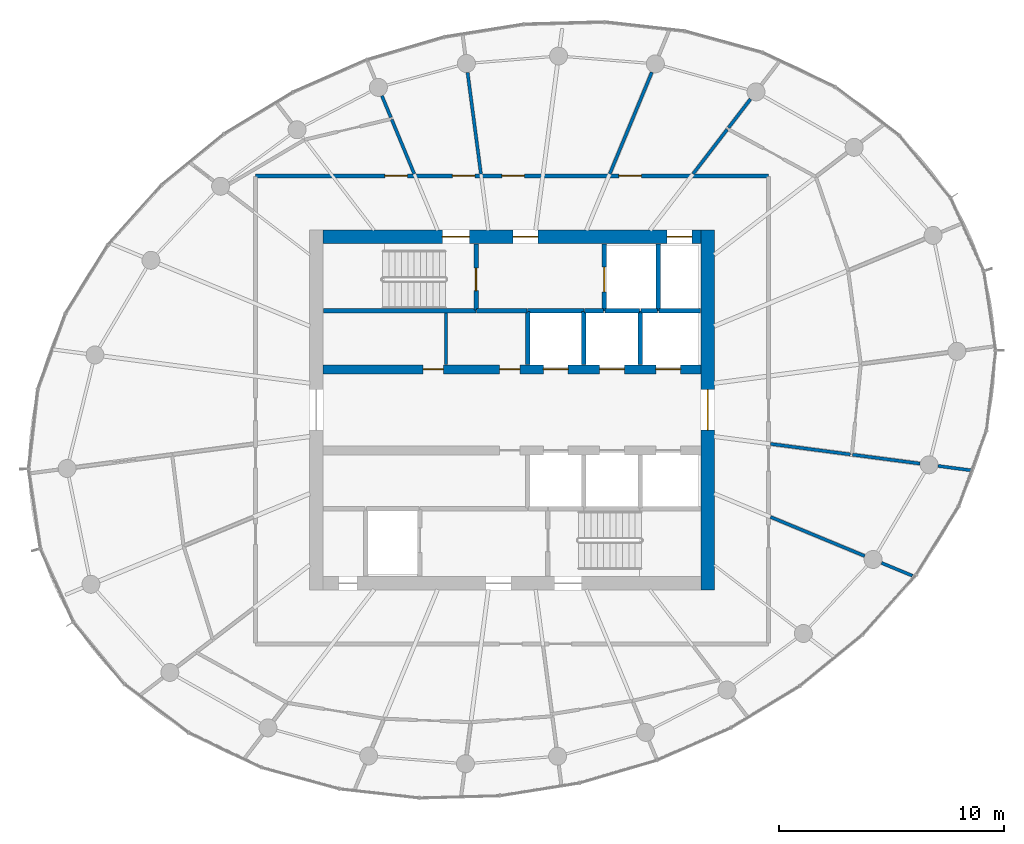
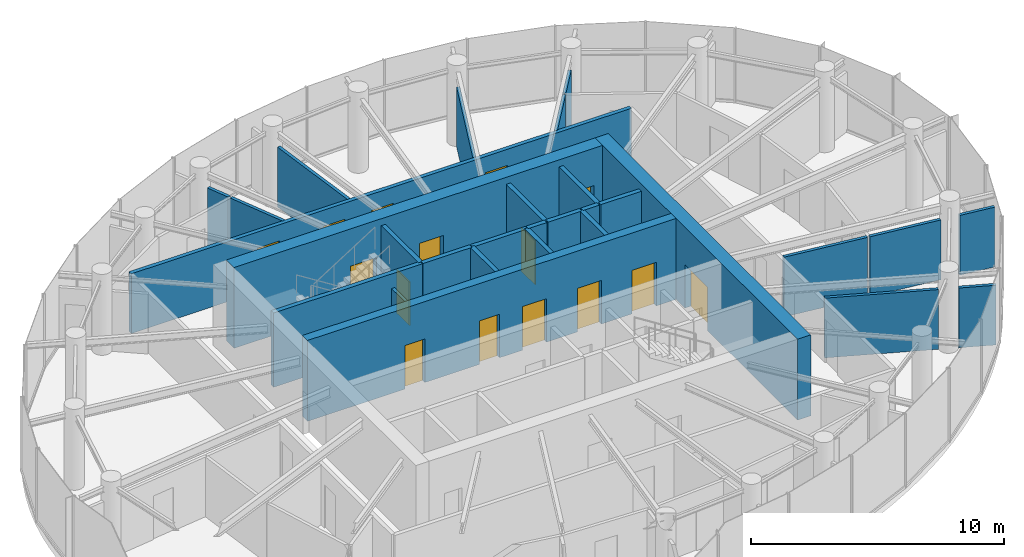
# One storey, part 10 of 13: 29 walls, 15 doors, 15 openings.
"""IFC4 building model written with IfcOpenShell, lengths in metres."""

from ifc_helpers import new_model, si_unit, direction, frame, frame_2d, origin, place, context, subcontext, project, spatial, rectangle, extrude, source, transform, mapped, material, layer, layer_set, type_object, element, fill, save


model = new_model("IFC4")

# Units and contexts
model_context = context("Model", 3, precision=1e-05, world=origin(), true_north=direction((0.0, 1.0)))
body_context = subcontext(model_context, "Body", "Model", "MODEL_VIEW")
ifc_project = project(units=[si_unit("LENGTHUNIT", "METRE"), si_unit("AREAUNIT", "SQUARE_METRE"), si_unit("VOLUMEUNIT", "CUBIC_METRE"), si_unit("PLANEANGLEUNIT", "RADIAN"), si_unit("MASSUNIT", "GRAM", prefix="KILO")], contexts=[model_context])

# Site, building, storey
site_placement = place(None, origin())
site = spatial("IfcSite", under=ifc_project, at=site_placement, CompositionType="ELEMENT")
building_placement = place(site_placement, origin())
building = spatial("IfcBuilding", under=site, at=building_placement, Name="Spindrift Exchange Tower", CompositionType="ELEMENT")
storey_placement = place(building_placement, frame((0.0, 0.0, 254.0)))
storey = spatial("IfcBuildingStorey", under=building, at=storey_placement, Name="L62", CompositionType="ELEMENT", Elevation=254.0)

# Wall, opening, door
ifc_material_1 = material(Name="Concrete 50 MPa", Category="concrete")
ifc_layer_1 = layer(ifc_material_1, 0.60009765625)
ifc_layer_set_1 = layer_set([ifc_layer_1], Name="RC Core Wall 600 Concrete 50 MPa")
wall_type_1 = type_object("IfcWallType", Name="RC Core Wall 600 Concrete 50 MPa", PredefinedType="SHEAR", material=ifc_layer_set_1)
wall_1_placement = place(storey_placement, frame((60.699951171875, 40.0, 0.0), z_axis=(0.0, 0.0, 1.0), x_axis=(0.0, 1.0, 0.0)))
wall_1 = element("IfcWall", 1, at=wall_1_placement, inside=storey, type_object=wall_type_1, Name="Core wall E L62", PredefinedType="SHEAR", context=body_context, shape_type="SweptSolid", body=[
    extrude(rectangle(XDim=16.0, YDim=0.60009765625, at=frame_2d((8.0, 0.0))), origin(), (0.0, 0.0, 1.0), 3.89990234375),
])
opening_1_placement = place(wall_1_placement, frame((7.10009765625, 0.0, 0.0)))
opening_1 = element("IfcOpeningElement", 2, at=opening_1_placement, cuts=wall_1, Name="Opening L62-D2", PredefinedType="OPENING", context=body_context, shape_type="SweptSolid", body=[
    extrude(rectangle(XDim=1.800048828125, YDim=2.10009765625, at=frame_2d((0.89990234375, 1.050048828125))), frame((0.0, 0.31005859375, 0.0), z_axis=(0.0, -1.0, 0.0), x_axis=(1.0, 0.0, 0.0)), (0.0, 0.0, 1.0), 0.6201171875),
])
ifc_material_2 = material(Name="Timber-core fire door", Category="wood")
door_type_1 = type_object("IfcDoorType", Name="DR-LOBBY-1800", OperationType="NOTDEFINED", PredefinedType="DOOR", material=ifc_material_2)
shared_shape_1 = source(origin(), body_context, "Body", "SweptSolid", [
    extrude(rectangle(XDim=1.800048828125, YDim=2.10009765625, at=frame_2d((0.89990234375, 1.050048828125))), frame((0.0, 0.02490234375, 0.0), z_axis=(0.0, -1.0, 0.0), x_axis=(1.0, 0.0, 0.0)), (0.0, 0.0, 1.0), 0.050048828125),
])
door_1_placement = place(opening_1_placement, origin())
door_1 = element("IfcDoor", 3, at=door_1_placement, inside=storey, type_object=door_type_1, Name="L62 Lobby door 2", OperationType="SINGLE_SWING_LEFT", OverallHeight=2.10009765625, OverallWidth=1.800048828125, PredefinedType="DOOR", context=body_context, shape_type="MappedRepresentation", body=[
    mapped(shared_shape_1, transform((0.0, 0.0, 0.0), scale=1.0)),
])
fill(opening_1, door_1)

# Wall, openings, doors
wall_2_placement = place(storey_placement, frame((60.39990234375, 55.699951171875, 0.0), z_axis=(0.0, 0.0, 1.0), x_axis=(-1.0, 0.0, 0.0)))
wall_2 = element("IfcWall", 4, at=wall_2_placement, inside=storey, type_object=wall_type_1, Name="Core wall N L62", PredefinedType="SHEAR", context=body_context, shape_type="SweptSolid", body=[
    extrude(rectangle(XDim=16.7998046875, YDim=0.60009765625, at=frame_2d((8.39990234375, 0.0))), origin(), (0.0, 0.0, 1.0), 3.89990234375),
])
opening_2_placement = place(wall_2_placement, frame((0.39990234375, 0.0, 0.0)))
opening_2 = element("IfcOpeningElement", 5, at=opening_2_placement, cuts=wall_2, Name="Opening L62-D11", PredefinedType="OPENING", context=body_context, shape_type="SweptSolid", body=[
    extrude(rectangle(XDim=1.10009765625, YDim=2.10009765625, at=frame_2d((0.550048828125, 1.050048828125))), frame((0.0, 0.31005859375, 0.0), z_axis=(0.0, -1.0, 0.0), x_axis=(1.0, 0.0, 0.0)), (0.0, 0.0, 1.0), 0.6201171875),
])
opening_3_placement = place(wall_2_placement, frame((10.300048828125, 0.0, 0.0)))
opening_3 = element("IfcOpeningElement", 6, at=opening_3_placement, cuts=wall_2, Name="Opening L62-D12", PredefinedType="OPENING", context=body_context, shape_type="SweptSolid", body=[
    extrude(rectangle(XDim=1.199951171875, YDim=2.10009765625, at=frame_2d((0.60009765625, 1.050048828125))), frame((0.0, 0.31005859375, 0.0), z_axis=(0.0, -1.0, 0.0), x_axis=(1.0, 0.0, 0.0)), (0.0, 0.0, 1.0), 0.6201171875),
])
opening_4_placement = place(wall_2_placement, frame((7.25, 0.0, 0.0)))
opening_4 = element("IfcOpeningElement", 7, at=opening_4_placement, cuts=wall_2, Name="Opening L62-D14", PredefinedType="OPENING", context=body_context, shape_type="SweptSolid", body=[
    extrude(rectangle(XDim=1.10009765625, YDim=2.10009765625, at=frame_2d((0.550048828125, 1.050048828125))), frame((0.0, 0.31005859375, 0.0), z_axis=(0.0, -1.0, 0.0), x_axis=(1.0, 0.0, 0.0)), (0.0, 0.0, 1.0), 0.6201171875),
])
ifc_material_3 = material(Name="Stainless steel landing door", Category="steel")
door_type_2 = type_object("IfcDoorType", Name="DR-LANDING-1100-SL", OperationType="DOUBLE_DOOR_SLIDING", PredefinedType="USERDEFINED", material=ifc_material_3)
shared_shape_2 = source(origin(), body_context, "Body", "SweptSolid", [
    extrude(rectangle(XDim=1.10009765625, YDim=2.10009765625, at=frame_2d((0.550048828125, 1.050048828125))), frame((0.0, 0.02490234375, 0.0), z_axis=(0.0, -1.0, 0.0), x_axis=(1.0, 0.0, 0.0)), (0.0, 0.0, 1.0), 0.050048828125),
])
door_2_placement = place(opening_2_placement, origin())
door_2 = element("IfcDoor", 8, at=door_2_placement, inside=storey, type_object=door_type_2, Name="L62 Lift landing door 11", ObjectType="LANDING DOOR", OperationType="DOUBLE_DOOR_SLIDING", OverallHeight=2.10009765625, OverallWidth=1.10009765625, PredefinedType="USERDEFINED", context=body_context, shape_type="MappedRepresentation", body=[
    mapped(shared_shape_2, transform((0.0, 0.0, 0.0), scale=1.0)),
])
fill(opening_2, door_2)
ifc_material_4 = material(Name="Steel fire door", Category="steel")
door_type_3 = type_object("IfcDoorType", Name="DR-STAIR-1200", OperationType="NOTDEFINED", PredefinedType="DOOR", material=ifc_material_4)
shared_shape_3 = source(origin(), body_context, "Body", "SweptSolid", [
    extrude(rectangle(XDim=1.199951171875, YDim=2.10009765625, at=frame_2d((0.60009765625, 1.050048828125))), frame((0.0, 0.02490234375, 0.0), z_axis=(0.0, -1.0, 0.0), x_axis=(1.0, 0.0, 0.0)), (0.0, 0.0, 1.0), 0.050048828125),
])
door_3_placement = place(opening_3_placement, origin())
door_3 = element("IfcDoor", 9, at=door_3_placement, inside=storey, type_object=door_type_3, Name="L62 Stair door 12", OperationType="SINGLE_SWING_RIGHT", OverallHeight=2.10009765625, OverallWidth=1.199951171875, PredefinedType="DOOR", context=body_context, shape_type="MappedRepresentation", body=[
    mapped(shared_shape_3, transform((0.0, 0.0, 0.0), scale=1.0)),
])
fill(opening_3, door_3)
door_type_4 = type_object("IfcDoorType", Name="DR-LOBBY-1100", OperationType="NOTDEFINED", PredefinedType="DOOR", material=ifc_material_2)
shared_shape_4 = source(origin(), body_context, "Body", "SweptSolid", [
    extrude(rectangle(XDim=1.10009765625, YDim=2.10009765625, at=frame_2d((0.550048828125, 1.050048828125))), frame((0.0, 0.02490234375, 0.0), z_axis=(0.0, -1.0, 0.0), x_axis=(1.0, 0.0, 0.0)), (0.0, 0.0, 1.0), 0.050048828125),
])
door_4_placement = place(opening_4_placement, origin())
door_4 = element("IfcDoor", 10, at=door_4_placement, inside=storey, type_object=door_type_4, Name="L62 Lobby door 14", OperationType="SINGLE_SWING_RIGHT", OverallHeight=2.10009765625, OverallWidth=1.10009765625, PredefinedType="DOOR", context=body_context, shape_type="MappedRepresentation", body=[
    mapped(shared_shape_4, transform((0.0, 0.0, 0.0), scale=1.0)),
])
fill(opening_4, door_4)

ifc_layer_2 = layer(ifc_material_1, 0.39990234375)
ifc_layer_set_2 = layer_set([ifc_layer_2], Name="RC Spine Wall 400 Concrete 50 MPa")
wall_type_2 = type_object("IfcWallType", Name="RC Spine Wall 400 Concrete 50 MPa", PredefinedType="SHEAR", material=ifc_layer_set_2)
wall_3_placement = place(storey_placement, frame((43.60009765625, 49.800048828125, 0.0), z_axis=(0.0, 0.0, 1.0), x_axis=(1.0, 0.0, 0.0)))
wall_3 = element("IfcWall", 11, at=wall_3_placement, inside=storey, type_object=wall_type_2, Name="Core spine wall N L62", PredefinedType="SHEAR", context=body_context, shape_type="SweptSolid", body=[
    extrude(rectangle(XDim=16.7998046875, YDim=0.39990234375, at=frame_2d((8.39990234375, 0.0))), origin(), (0.0, 0.0, 1.0), 3.89990234375),
])
opening_5_placement = place(wall_3_placement, frame((9.800048828125, 0.0, 0.0)))
opening_5 = element("IfcOpeningElement", 12, at=opening_5_placement, cuts=wall_3, Name="Opening L62-D3", PredefinedType="OPENING", context=body_context, shape_type="SweptSolid", body=[
    extrude(rectangle(XDim=1.10009765625, YDim=2.10009765625, at=frame_2d((0.550048828125, 1.050048828125))), frame((0.0, 0.2099609375, 0.0), z_axis=(0.0, -1.0, 0.0), x_axis=(1.0, 0.0, 0.0)), (0.0, 0.0, 1.0), 0.419921875),
])
opening_6_placement = place(wall_3_placement, frame((12.300048828125, 0.0, 0.0)))
opening_6 = element("IfcOpeningElement", 13, at=opening_6_placement, cuts=wall_3, Name="Opening L62-D4", PredefinedType="OPENING", context=body_context, shape_type="SweptSolid", body=[
    extrude(rectangle(XDim=1.10009765625, YDim=2.10009765625, at=frame_2d((0.550048828125, 1.050048828125))), frame((0.0, 0.2099609375, 0.0), z_axis=(0.0, -1.0, 0.0), x_axis=(1.0, 0.0, 0.0)), (0.0, 0.0, 1.0), 0.419921875),
])
opening_7_placement = place(wall_3_placement, frame((14.800048828125, 0.0, 0.0)))
opening_7 = element("IfcOpeningElement", 14, at=opening_7_placement, cuts=wall_3, Name="Opening L62-D5", PredefinedType="OPENING", context=body_context, shape_type="SweptSolid", body=[
    extrude(rectangle(XDim=1.10009765625, YDim=2.10009765625, at=frame_2d((0.550048828125, 1.050048828125))), frame((0.0, 0.2099609375, 0.0), z_axis=(0.0, -1.0, 0.0), x_axis=(1.0, 0.0, 0.0)), (0.0, 0.0, 1.0), 0.419921875),
])
opening_8_placement = place(wall_3_placement, frame((4.449951171875, 0.0, 0.0)))
opening_8 = element("IfcOpeningElement", 15, at=opening_8_placement, cuts=wall_3, Name="Opening L62-D44", PredefinedType="OPENING", context=body_context, shape_type="SweptSolid", body=[
    extrude(rectangle(XDim=0.89990234375, YDim=2.10009765625, at=frame_2d((0.449951171875, 1.050048828125))), frame((0.0, 0.2099609375, 0.0), z_axis=(0.0, -1.0, 0.0), x_axis=(1.0, 0.0, 0.0)), (0.0, 0.0, 1.0), 0.419921875),
])
opening_9_placement = place(wall_3_placement, frame((7.85009765625, 0.0, 0.0)))
opening_9 = element("IfcOpeningElement", 16, at=opening_9_placement, cuts=wall_3, Name="Opening L62-D45", PredefinedType="OPENING", context=body_context, shape_type="SweptSolid", body=[
    extrude(rectangle(XDim=0.89990234375, YDim=2.10009765625, at=frame_2d((0.449951171875, 1.050048828125))), frame((0.0, 0.2099609375, 0.0), z_axis=(0.0, -1.0, 0.0), x_axis=(1.0, 0.0, 0.0)), (0.0, 0.0, 1.0), 0.419921875),
])
door_5_placement = place(opening_5_placement, origin())
door_5 = element("IfcDoor", 17, at=door_5_placement, inside=storey, type_object=door_type_2, Name="L62 Lift landing door 3", ObjectType="LANDING DOOR", OperationType="DOUBLE_DOOR_SLIDING", OverallHeight=2.10009765625, OverallWidth=1.10009765625, PredefinedType="USERDEFINED", context=body_context, shape_type="MappedRepresentation", body=[
    mapped(shared_shape_2, transform((0.0, 0.0, 0.0), scale=1.0)),
])
fill(opening_5, door_5)
door_6_placement = place(opening_6_placement, origin())
door_6 = element("IfcDoor", 18, at=door_6_placement, inside=storey, type_object=door_type_2, Name="L62 Lift landing door 4", ObjectType="LANDING DOOR", OperationType="DOUBLE_DOOR_SLIDING", OverallHeight=2.10009765625, OverallWidth=1.10009765625, PredefinedType="USERDEFINED", context=body_context, shape_type="MappedRepresentation", body=[
    mapped(shared_shape_2, transform((0.0, 0.0, 0.0), scale=1.0)),
])
fill(opening_6, door_6)
door_7_placement = place(opening_7_placement, origin())
door_7 = element("IfcDoor", 19, at=door_7_placement, inside=storey, type_object=door_type_2, Name="L62 Lift landing door 5", ObjectType="LANDING DOOR", OperationType="DOUBLE_DOOR_SLIDING", OverallHeight=2.10009765625, OverallWidth=1.10009765625, PredefinedType="USERDEFINED", context=body_context, shape_type="MappedRepresentation", body=[
    mapped(shared_shape_2, transform((0.0, 0.0, 0.0), scale=1.0)),
])
fill(opening_7, door_7)
ifc_material_5 = material(Name="Steel access door", Category="steel")
door_type_5 = type_object("IfcDoorType", Name="DR-RISER-900", OperationType="NOTDEFINED", PredefinedType="DOOR", material=ifc_material_5)
shared_shape_5 = source(origin(), body_context, "Body", "SweptSolid", [
    extrude(rectangle(XDim=0.89990234375, YDim=2.10009765625, at=frame_2d((0.449951171875, 1.050048828125))), frame((0.0, 0.02490234375, 0.0), z_axis=(0.0, -1.0, 0.0), x_axis=(1.0, 0.0, 0.0)), (0.0, 0.0, 1.0), 0.050048828125),
])
door_8_placement = place(opening_8_placement, origin())
door_8 = element("IfcDoor", 20, at=door_8_placement, inside=storey, type_object=door_type_5, Name="L62 Riser door 44", OperationType="SINGLE_SWING_RIGHT", OverallHeight=2.10009765625, OverallWidth=0.89990234375, PredefinedType="DOOR", context=body_context, shape_type="MappedRepresentation", body=[
    mapped(shared_shape_5, transform((0.0, 0.0, 0.0), scale=1.0)),
])
fill(opening_8, door_8)
door_9_placement = place(opening_9_placement, origin())
door_9 = element("IfcDoor", 21, at=door_9_placement, inside=storey, type_object=door_type_5, Name="L62 Riser door 45", OperationType="SINGLE_SWING_LEFT", OverallHeight=2.10009765625, OverallWidth=0.89990234375, PredefinedType="DOOR", context=body_context, shape_type="MappedRepresentation", body=[
    mapped(shared_shape_5, transform((0.0, 0.0, 0.0), scale=1.0)),
])
fill(opening_9, door_9)

ifc_material_6 = material(Name="Fire-rated plasterboard partition", Category="gypsum")
ifc_layer_3 = layer(ifc_material_6, 0.179931640625)
ifc_layer_set_3 = layer_set([ifc_layer_3], Name="W-CORR-180")
wall_type_3 = type_object("IfcWallType", Name="W-CORR-180", PredefinedType="PARTITIONING", material=ifc_layer_set_3)
wall_4_placement = place(storey_placement, frame((40.60009765625, 58.39990234375, 0.0), z_axis=(0.0, 0.0, 1.0), x_axis=(1.0, 0.0, 0.0)))
wall_4 = element("IfcWall", 22, at=wall_4_placement, inside=storey, type_object=wall_type_3, Name="L62 Partition wall 27", PredefinedType="PARTITIONING", context=body_context, shape_type="SweptSolid", body=[
    extrude(rectangle(XDim=22.7998046875, YDim=0.179931640625, at=frame_2d((11.39990234375, 0.0))), origin(), (0.0, 0.0, 1.0), 2.8798828125),
])
opening_10_placement = place(wall_4_placement, frame((16.14990234375, 0.0, 0.0)))
opening_10 = element("IfcOpeningElement", 23, at=opening_10_placement, cuts=wall_4, Name="Opening L62-D37", PredefinedType="OPENING", context=body_context, shape_type="SweptSolid", body=[
    extrude(rectangle(XDim=1.0, YDim=2.10009765625, at=frame_2d((0.5, 1.050048828125))), frame((0.0, 0.099853515625, 0.0), z_axis=(0.0, -1.0, 0.0), x_axis=(1.0, 0.0, 0.0)), (0.0, 0.0, 1.0), 0.199951171875),
])
opening_11_placement = place(wall_4_placement, frame((10.949951171875, 0.0, 0.0)))
opening_11 = element("IfcOpeningElement", 24, at=opening_11_placement, cuts=wall_4, Name="Opening L62-D38", PredefinedType="OPENING", context=body_context, shape_type="SweptSolid", body=[
    extrude(rectangle(XDim=1.0, YDim=2.10009765625, at=frame_2d((0.5, 1.050048828125))), frame((0.0, 0.099853515625, 0.0), z_axis=(0.0, -1.0, 0.0), x_axis=(1.0, 0.0, 0.0)), (0.0, 0.0, 1.0), 0.199951171875),
])
opening_12_placement = place(wall_4_placement, frame((8.75, 0.0, 0.0)))
opening_12 = element("IfcOpeningElement", 25, at=opening_12_placement, cuts=wall_4, Name="Opening L62-D39", PredefinedType="OPENING", context=body_context, shape_type="SweptSolid", body=[
    extrude(rectangle(XDim=1.0, YDim=2.10009765625, at=frame_2d((0.5, 1.050048828125))), frame((0.0, 0.099853515625, 0.0), z_axis=(0.0, -1.0, 0.0), x_axis=(1.0, 0.0, 0.0)), (0.0, 0.0, 1.0), 0.199951171875),
])
opening_13_placement = place(wall_4_placement, frame((5.75, 0.0, 0.0)))
opening_13 = element("IfcOpeningElement", 26, at=opening_13_placement, cuts=wall_4, Name="Opening L62-D40", PredefinedType="OPENING", context=body_context, shape_type="SweptSolid", body=[
    extrude(rectangle(XDim=1.0, YDim=2.10009765625, at=frame_2d((0.5, 1.050048828125))), frame((0.0, 0.099853515625, 0.0), z_axis=(0.0, -1.0, 0.0), x_axis=(1.0, 0.0, 0.0)), (0.0, 0.0, 1.0), 0.199951171875),
])
door_type_6 = type_object("IfcDoorType", Name="DR-ROOM-1000", OperationType="NOTDEFINED", PredefinedType="DOOR", material=ifc_material_2)
shared_shape_6 = source(origin(), body_context, "Body", "SweptSolid", [
    extrude(rectangle(XDim=1.0, YDim=2.10009765625, at=frame_2d((0.5, 1.050048828125))), frame((0.0, 0.02490234375, 0.0), z_axis=(0.0, -1.0, 0.0), x_axis=(1.0, 0.0, 0.0)), (0.0, 0.0, 1.0), 0.050048828125),
])
door_10_placement = place(opening_10_placement, origin())
door_10 = element("IfcDoor", 27, at=door_10_placement, inside=storey, type_object=door_type_6, Name="L62 Door 37", OperationType="SINGLE_SWING_LEFT", OverallHeight=2.10009765625, OverallWidth=1.0, PredefinedType="DOOR", context=body_context, shape_type="MappedRepresentation", body=[
    mapped(shared_shape_6, transform((0.0, 0.0, 0.0), scale=1.0)),
])
fill(opening_10, door_10)
door_11_placement = place(opening_11_placement, origin())
door_11 = element("IfcDoor", 28, at=door_11_placement, inside=storey, type_object=door_type_6, Name="L62 Door 38", OperationType="SINGLE_SWING_RIGHT", OverallHeight=2.10009765625, OverallWidth=1.0, PredefinedType="DOOR", context=body_context, shape_type="MappedRepresentation", body=[
    mapped(shared_shape_6, transform((0.0, 0.0, 0.0), scale=1.0)),
])
fill(opening_11, door_11)
door_12_placement = place(opening_12_placement, origin())
door_12 = element("IfcDoor", 29, at=door_12_placement, inside=storey, type_object=door_type_6, Name="L62 Door 39", OperationType="SINGLE_SWING_LEFT", OverallHeight=2.10009765625, OverallWidth=1.0, PredefinedType="DOOR", context=body_context, shape_type="MappedRepresentation", body=[
    mapped(shared_shape_6, transform((0.0, 0.0, 0.0), scale=1.0)),
])
fill(opening_12, door_12)
door_13_placement = place(opening_13_placement, origin())
door_13 = element("IfcDoor", 30, at=door_13_placement, inside=storey, type_object=door_type_6, Name="L62 Door 40", OperationType="SINGLE_SWING_RIGHT", OverallHeight=2.10009765625, OverallWidth=1.0, PredefinedType="DOOR", context=body_context, shape_type="MappedRepresentation", body=[
    mapped(shared_shape_6, transform((0.0, 0.0, 0.0), scale=1.0)),
])
fill(opening_13, door_13)

# Walls
ifc_layer_4 = layer(ifc_material_6, 0.139892578125)
ifc_layer_set_4 = layer_set([ifc_layer_4], Name="W-PART-140")
wall_type_4 = type_object("IfcWallType", Name="W-PART-140", PredefinedType="PARTITIONING", material=ifc_layer_set_4)
wall_5_placement = place(storey_placement, frame((56.34521484375, 58.489990234375, 0.0), z_axis=(0.0, 0.0, 1.0), x_axis=(0.382689806821, 0.923876892099, 0.0)))
element("IfcWall", 31, at=wall_5_placement, inside=storey, type_object=wall_type_4, Name="L62 Partition wall 31", PredefinedType="PARTITIONING", context=body_context, shape_type="SweptSolid", body=[
    extrude(rectangle(XDim=4.890625, YDim=0.139892578125, at=frame_2d((2.4453125, 0.0))), origin(), (0.0, 0.0, 1.0), 2.8798828125),
])
wall_6_placement = place(storey_placement, frame((50.618896484375, 58.489990234375, 0.0), z_axis=(0.0, 0.0, 1.0), x_axis=(-0.130505936446, 0.991447527887, 0.0)))
element("IfcWall", 32, at=wall_6_placement, inside=storey, type_object=wall_type_4, Name="L62 Partition wall 32", PredefinedType="PARTITIONING", context=body_context, shape_type="SweptSolid", body=[
    extrude(rectangle(XDim=4.5439453125, YDim=0.139892578125, at=frame_2d((2.27197265625, 0.0))), origin(), (0.0, 0.0, 1.0), 2.8798828125),
])
wall_7_placement = place(storey_placement, frame((63.489990234375, 43.24072265625, 0.0), z_axis=(0.0, 0.0, 1.0), x_axis=(0.923863854318, -0.382721280679, 0.0)))
element("IfcWall", 33, at=wall_7_placement, inside=storey, type_object=wall_type_4, Name="L62 Partition wall 34", PredefinedType="PARTITIONING", context=body_context, shape_type="SweptSolid", body=[
    extrude(rectangle(XDim=4.5322265625, YDim=0.139892578125, at=frame_2d((2.26611328125, 0.0))), origin(), (0.0, 0.0, 1.0), 2.8798828125),
])
wall_8_placement = place(storey_placement, frame((63.489990234375, 46.4873046875, 0.0), z_axis=(0.0, 0.0, 1.0), x_axis=(0.991449189531, -0.130493312389, 0.0)))
element("IfcWall", 34, at=wall_8_placement, inside=storey, type_object=wall_type_4, Name="L62 Partition wall 48", PredefinedType="PARTITIONING", context=body_context, shape_type="SweptSolid", body=[
    extrude(rectangle(XDim=3.580810546875, YDim=0.139892578125, at=frame_2d((1.79052734375, 0.0))), origin(), (0.0, 0.0, 1.0), 2.8798828125),
])
wall_9_placement = place(storey_placement, frame((67.139404296875, 46.0068359375, 0.0), z_axis=(0.0, 0.0, 1.0), x_axis=(0.991449900288, -0.130487912157, 0.0)))
element("IfcWall", 35, at=wall_9_placement, inside=storey, type_object=wall_type_4, Name="L62 Partition wall 54", PredefinedType="PARTITIONING", context=body_context, shape_type="SweptSolid", body=[
    extrude(rectangle(XDim=3.025390625, YDim=0.139892578125, at=frame_2d((1.5126953125, 0.0))), origin(), (0.0, 0.0, 1.0), 2.8798828125),
])
wall_10_placement = place(storey_placement, frame((47.65478515625, 58.489990234375, 0.0), z_axis=(0.0, 0.0, 1.0), x_axis=(-0.382659528892, 0.923889433292, 0.0)))
element("IfcWall", 36, at=wall_10_placement, inside=storey, type_object=wall_type_4, Name="L62 Partition wall 55", PredefinedType="PARTITIONING", context=body_context, shape_type="SweptSolid", body=[
    extrude(rectangle(XDim=2.61572265625, YDim=0.139892578125, at=frame_2d((1.307861328125, 0.0))), origin(), (0.0, 0.0, 1.0), 2.8798828125),
])
wall_11_placement = place(storey_placement, frame((60.04931640625, 58.489990234375, 0.0), z_axis=(0.0, 0.0, 1.0), x_axis=(0.608762828767, 0.793352266217, 0.0)))
element("IfcWall", 37, at=wall_11_placement, inside=storey, type_object=wall_type_4, Name="L62 Partition wall 56", PredefinedType="PARTITIONING", context=body_context, shape_type="SweptSolid", body=[
    extrude(rectangle(XDim=2.490478515625, YDim=0.139892578125, at=frame_2d((1.2451171875, 0.0))), origin(), (0.0, 0.0, 1.0), 2.8798828125),
])
wall_12_placement = place(storey_placement, frame((49.06005859375, 50.010009765625, 0.0), z_axis=(0.0, 0.0, 1.0), x_axis=(0.0, 1.0, 0.0)))
element("IfcWall", 38, at=wall_12_placement, inside=storey, type_object=wall_type_4, Name="L62 Partition wall 58", PredefinedType="PARTITIONING", context=body_context, shape_type="SweptSolid", body=[
    extrude(rectangle(XDim=2.2900390625, YDim=0.139892578125, at=frame_2d((1.14501953125, 0.0))), origin(), (0.0, 0.0, 1.0), 2.8798828125),
])
wall_13_placement = place(storey_placement, frame((61.626708984375, 60.5458984375, 0.0), z_axis=(0.0, 0.0, 1.0), x_axis=(0.608803148953, 0.79332132571, 0.0)))
element("IfcWall", 39, at=wall_13_placement, inside=storey, type_object=wall_type_4, Name="L62 Partition wall 61", PredefinedType="PARTITIONING", context=body_context, shape_type="SweptSolid", body=[
    extrude(rectangle(XDim=1.599609375, YDim=0.139892578125, at=frame_2d((0.7998046875, 0.0))), origin(), (0.0, 0.0, 1.0), 2.8798828125),
])
wall_14_placement = place(storey_placement, frame((70.941162109375, 45.50634765625, 0.0), z_axis=(0.0, 0.0, 1.0), x_axis=(0.991445430329, -0.130521870506, 0.0)))
element("IfcWall", 40, at=wall_14_placement, inside=storey, type_object=wall_type_4, Name="L62 Partition wall 63", PredefinedType="PARTITIONING", context=body_context, shape_type="SweptSolid", body=[
    extrude(rectangle(XDim=1.500244140625, YDim=0.139892578125, at=frame_2d((0.75, 0.0))), origin(), (0.0, 0.0, 1.0), 2.8798828125),
])
wall_15_placement = place(storey_placement, frame((68.42578125, 41.1962890625, 0.0), z_axis=(0.0, 0.0, 1.0), x_axis=(0.923870878191, -0.382704325074, 0.0)))
element("IfcWall", 41, at=wall_15_placement, inside=storey, type_object=wall_type_4, Name="L62 Partition wall 64", PredefinedType="PARTITIONING", context=body_context, shape_type="SweptSolid", body=[
    extrude(rectangle(XDim=1.48828125, YDim=0.139892578125, at=frame_2d((0.744140625, 0.0))), origin(), (0.0, 0.0, 1.0), 2.8798828125),
])
wall_16_placement = place(storey_placement, frame((46.615234375, 61.0, 0.0), z_axis=(0.0, 0.0, 1.0), x_axis=(-0.38262856197, 0.923902258664, 0.0)))
element("IfcWall", 42, at=wall_16_placement, inside=storey, type_object=wall_type_4, Name="L62 Partition wall 77", PredefinedType="PARTITIONING", context=body_context, shape_type="SweptSolid", body=[
    extrude(rectangle(XDim=1.038818359375, YDim=0.139892578125, at=frame_2d((0.51953125, 0.0))), origin(), (0.0, 0.0, 1.0), 2.8798828125),
])

# Wall, opening, door
ifc_material_7 = material(Name="Concrete 40 MPa", Category="concrete")
ifc_layer_5 = layer(ifc_material_7, 0.199951171875)
ifc_layer_set_5 = layer_set([ifc_layer_5], Name="W-SHAFT-200")
wall_type_5 = type_object("IfcWallType", Name="W-SHAFT-200", PredefinedType="SOLIDWALL", material=ifc_layer_set_5)
wall_17_placement = place(storey_placement, frame((56.10009765625, 55.3798828125, 0.0), z_axis=(0.0, 0.0, 1.0), x_axis=(0.0, -1.0, 0.0)))
wall_17 = element("IfcWall", 43, at=wall_17_placement, inside=storey, type_object=wall_type_5, Name="L62 Shaft wall 7", PredefinedType="SOLIDWALL", context=body_context, shape_type="SweptSolid", body=[
    extrude(rectangle(XDim=2.97998046875, YDim=0.199951171875, at=frame_2d((1.489990234375, 0.0))), origin(), (0.0, 0.0, 1.0), 3.580078125),
])
opening_14_placement = place(wall_17_placement, frame((1.030029296875, 0.0, 0.0)))
opening_14 = element("IfcOpeningElement", 44, at=opening_14_placement, cuts=wall_17, Name="Opening L62-D9", PredefinedType="OPENING", context=body_context, shape_type="SweptSolid", body=[
    extrude(rectangle(XDim=1.10009765625, YDim=2.10009765625, at=frame_2d((0.550048828125, 1.050048828125))), frame((0.0, 0.10986328125, 0.0), z_axis=(0.0, -1.0, 0.0), x_axis=(1.0, 0.0, 0.0)), (0.0, 0.0, 1.0), 0.219970703125),
])
door_14_placement = place(opening_14_placement, origin())
door_14 = element("IfcDoor", 45, at=door_14_placement, inside=storey, type_object=door_type_2, Name="L62 Lift landing door 9", ObjectType="LANDING DOOR", OperationType="DOUBLE_DOOR_SLIDING", OverallHeight=2.10009765625, OverallWidth=1.10009765625, PredefinedType="USERDEFINED", context=body_context, shape_type="MappedRepresentation", body=[
    mapped(shared_shape_2, transform((0.0, 0.0, 0.0), scale=1.0)),
])
fill(opening_14, door_14)

# Walls
wall_18_placement = place(storey_placement, frame((58.5, 52.39990234375, 0.0), z_axis=(0.0, 0.0, 1.0), x_axis=(0.0, 1.0, 0.0)))
element("IfcWall", 46, at=wall_18_placement, inside=storey, type_object=wall_type_5, Name="L62 Shaft wall 8", PredefinedType="SOLIDWALL", context=body_context, shape_type="SweptSolid", body=[
    extrude(rectangle(XDim=2.97998046875, YDim=0.199951171875, at=frame_2d((1.489990234375, 0.0))), origin(), (0.0, 0.0, 1.0), 3.580078125),
])
wall_19_placement = place(storey_placement, frame((55.199951171875, 52.39990234375, 0.0), z_axis=(0.0, 0.0, 1.0), x_axis=(-1.0, 0.0, 0.0)))
element("IfcWall", 47, at=wall_19_placement, inside=storey, type_object=wall_type_5, Name="L62 Shaft wall 10", PredefinedType="SOLIDWALL", context=body_context, shape_type="SweptSolid", body=[
    extrude(rectangle(XDim=2.5, YDim=0.199951171875, at=frame_2d((1.25, 0.0))), origin(), (0.0, 0.0, 1.0), 3.580078125),
])
for number, where, z_axis, x_axis, name in (
    (48, (52.699951171875, 52.3701171875, 0.0), (0.0, 0.0, 1.0), (0.0, -1.0, 0.0), "L62 Shaft wall 14"),
    (49, (55.199951171875, 50.010009765625, 0.0), (0.0, 0.0, 1.0), (0.0, 1.0, 0.0), "L62 Shaft wall 16"),
):
    element("IfcWall", number, at=place(storey_placement, frame(where, z_axis=z_axis, x_axis=x_axis)), inside=storey, type_object=wall_type_5, Name=name, PredefinedType="SOLIDWALL", context=body_context, shape_type="SweptSolid", body=[
        extrude(rectangle(XDim=2.360107421875, YDim=0.199951171875, at=frame_2d((1.18017578125, 0.0))), origin(), (0.0, 0.0, 1.0), 3.580078125),
    ])
wall_20_placement = place(storey_placement, frame((57.699951171875, 50.010009765625, 0.0), z_axis=(0.0, 0.0, 1.0), x_axis=(0.0, 1.0, 0.0)))
element("IfcWall", 50, at=wall_20_placement, inside=storey, type_object=wall_type_5, Name="L62 Shaft wall 18", PredefinedType="SOLIDWALL", context=body_context, shape_type="SweptSolid", body=[
    extrude(rectangle(XDim=2.389892578125, YDim=0.199951171875, at=frame_2d((1.19482421875, 0.0))), origin(), (0.0, 0.0, 1.0), 3.580078125),
])
wall_21_placement = place(storey_placement, frame((60.3798828125, 52.39990234375, 0.0), z_axis=(0.0, 0.0, 1.0), x_axis=(-1.0, 0.0, 0.0)))
element("IfcWall", 51, at=wall_21_placement, inside=storey, type_object=wall_type_5, Name="L62 Shaft wall 21", PredefinedType="SOLIDWALL", context=body_context, shape_type="SweptSolid", body=[
    extrude(rectangle(XDim=1.849853515625, YDim=0.199951171875, at=frame_2d((0.9248046875, 0.0))), origin(), (0.0, 0.0, 1.0), 3.580078125),
])
wall_22_placement = place(storey_placement, frame((57.669921875, 52.39990234375, 0.0), z_axis=(0.0, 0.0, 1.0), x_axis=(-1.0, 0.0, 0.0)))
element("IfcWall", 52, at=wall_22_placement, inside=storey, type_object=wall_type_5, Name="L62 Shaft wall 23", PredefinedType="SOLIDWALL", context=body_context, shape_type="SweptSolid", body=[
    extrude(rectangle(XDim=1.5400390625, YDim=0.199951171875, at=frame_2d((0.77001953125, 0.0))), origin(), (0.0, 0.0, 1.0), 3.580078125),
])
wall_23_placement = place(storey_placement, frame((56.070068359375, 52.39990234375, 0.0), z_axis=(0.0, 0.0, 1.0), x_axis=(-1.0, 0.0, 0.0)))
element("IfcWall", 53, at=wall_23_placement, inside=storey, type_object=wall_type_5, Name="L62 Shaft wall 25", PredefinedType="SOLIDWALL", context=body_context, shape_type="SweptSolid", body=[
    extrude(rectangle(XDim=0.840087890625, YDim=0.199951171875, at=frame_2d((0.419921875, 0.0))), origin(), (0.0, 0.0, 1.0), 3.580078125),
])
wall_24_placement = place(storey_placement, frame((58.469970703125, 52.39990234375, 0.0), z_axis=(0.0, 0.0, 1.0), x_axis=(-1.0, 0.0, 0.0)))
element("IfcWall", 54, at=wall_24_placement, inside=storey, type_object=wall_type_5, Name="L62 Shaft wall 26", PredefinedType="SOLIDWALL", context=body_context, shape_type="SweptSolid", body=[
    extrude(rectangle(XDim=0.739990234375, YDim=0.199951171875, at=frame_2d((0.3701171875, 0.0))), origin(), (0.0, 0.0, 1.0), 3.580078125),
])
ifc_layer_6 = layer(ifc_material_7, 0.199951171875)
ifc_layer_set_6 = layer_set([ifc_layer_6], Name="W-SHAFT-200-LB")
wall_type_6 = type_object("IfcWallType", Name="W-SHAFT-200-LB", PredefinedType="SOLIDWALL", material=ifc_layer_set_6)
wall_25_placement = place(storey_placement, frame((43.6201171875, 52.39990234375, 0.0), z_axis=(0.0, 0.0, 1.0), x_axis=(1.0, 0.0, 0.0)))
element("IfcWall", 55, at=wall_25_placement, inside=storey, type_object=wall_type_6, Name="L62 Shaft wall 1", PredefinedType="SOLIDWALL", context=body_context, shape_type="SweptSolid", body=[
    extrude(rectangle(XDim=6.77978515625, YDim=0.199951171875, at=frame_2d((3.389892578125, 0.0))), origin(), (0.0, 0.0, 1.0), 3.580078125),
])

# Wall, opening, door
wall_26_placement = place(storey_placement, frame((50.39990234375, 52.429931640625, 0.0), z_axis=(0.0, 0.0, 1.0), x_axis=(0.0, 1.0, 0.0)))
wall_26 = element("IfcWall", 56, at=wall_26_placement, inside=storey, type_object=wall_type_6, Name="L62 Shaft wall 5", PredefinedType="SOLIDWALL", context=body_context, shape_type="SweptSolid", body=[
    extrude(rectangle(XDim=2.949951171875, YDim=0.199951171875, at=frame_2d((1.47509765625, 0.0))), origin(), (0.0, 0.0, 1.0), 3.580078125),
])
opening_15_placement = place(wall_26_placement, frame((0.8701171875, 0.0, 0.0)))
opening_15 = element("IfcOpeningElement", 57, at=opening_15_placement, cuts=wall_26, Name="Opening L62-D13", PredefinedType="OPENING", context=body_context, shape_type="SweptSolid", body=[
    extrude(rectangle(XDim=1.0, YDim=2.10009765625, at=frame_2d((0.5, 1.050048828125))), frame((0.0, 0.10986328125, 0.0), z_axis=(0.0, -1.0, 0.0), x_axis=(1.0, 0.0, 0.0)), (0.0, 0.0, 1.0), 0.219970703125),
])
door_type_7 = type_object("IfcDoorType", Name="DR-STAIR-1000", OperationType="NOTDEFINED", PredefinedType="DOOR", material=ifc_material_4)
shared_shape_7 = source(origin(), body_context, "Body", "SweptSolid", [
    extrude(rectangle(XDim=1.0, YDim=2.10009765625, at=frame_2d((0.5, 1.050048828125))), frame((0.0, 0.02490234375, 0.0), z_axis=(0.0, -1.0, 0.0), x_axis=(1.0, 0.0, 0.0)), (0.0, 0.0, 1.0), 0.050048828125),
])
door_15_placement = place(opening_15_placement, origin())
door_15 = element("IfcDoor", 58, at=door_15_placement, inside=storey, type_object=door_type_7, Name="L62 Stair door 13", OperationType="SINGLE_SWING_LEFT", OverallHeight=2.10009765625, OverallWidth=1.0, PredefinedType="DOOR", context=body_context, shape_type="MappedRepresentation", body=[
    mapped(shared_shape_7, transform((0.0, 0.0, 0.0), scale=1.0)),
])
fill(opening_15, door_15)

# Wall
wall_27_placement = place(storey_placement, frame((50.429931640625, 52.39990234375, 0.0), z_axis=(0.0, 0.0, 1.0), x_axis=(1.0, 0.0, 0.0)))
element("IfcWall", 59, at=wall_27_placement, inside=storey, type_object=wall_type_6, Name="L62 Shaft wall 19", PredefinedType="SOLIDWALL", context=body_context, shape_type="SweptSolid", body=[
    extrude(rectangle(XDim=2.239990234375, YDim=0.199951171875, at=frame_2d((1.1201171875, 0.0))), origin(), (0.0, 0.0, 1.0), 3.580078125),
])

save(model, "model.ifc")
